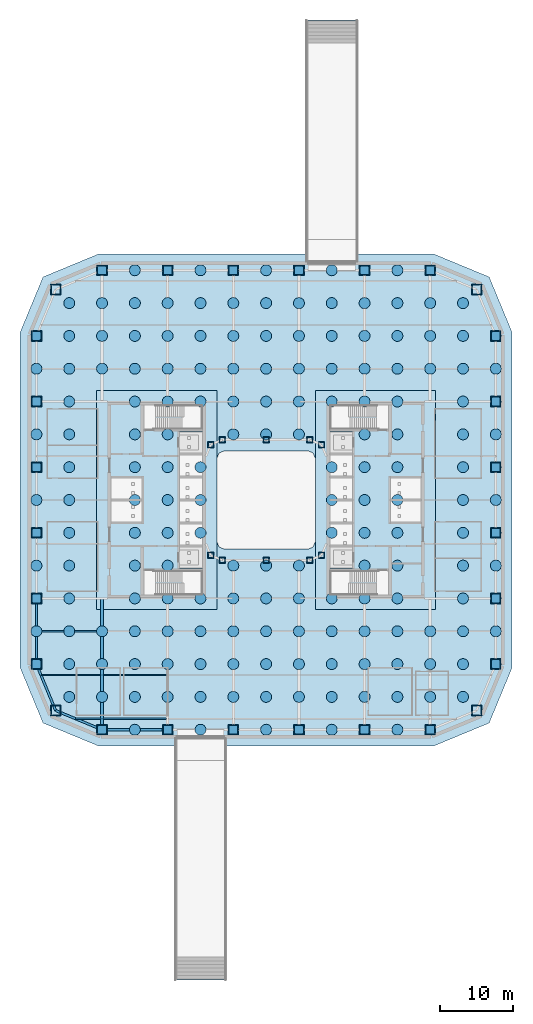
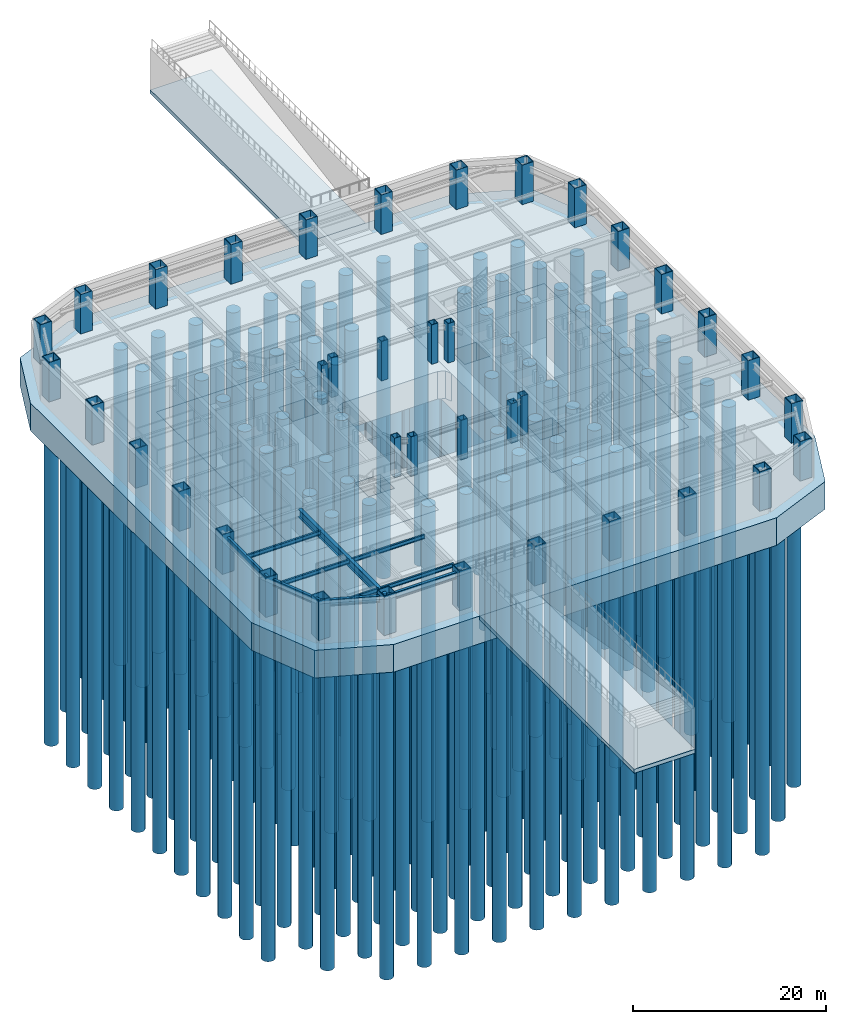
# One storey, part 1 of 10: 186 piles, 38 columns, 10 beams, 5 footings.
"""IFC4 building model written with IfcOpenShell, lengths in metres."""

import ifcopenshell
import ifcopenshell.guid

model = None  # the IFC model being written
_history = None  # IfcOwnerHistory: only IFC2X3 demands one
_inside = {}  # id of a spatial element -> (the spatial element, [elements in it])
_under = {}  # id of a project, library or spatial element -> (it, [spatial elements below it])
_declared = {}  # id of a project -> (the project, [libraries it declares])
_typed = {}  # id of a type object -> (the type object, [elements of that type])
_made_of = {}  # id of a material, layer set ... -> (it, [elements and type objects made of it])


def new_model(schema):
    """Start an empty IFC model of exactly this schema.

    Asked for "IFC4X3", IfcOpenShell would pick the latest addendum, in which some entities
    have other attributes; the version numbers below select the first issue.
    IFC2X3 requires an IfcOwnerHistory on every rooted entity: one is made here for all.
    """
    global model, _history
    if schema == "IFC4X3":
        model = ifcopenshell.file(schema_version=(4, 3, 0, 0))
    else:
        model = ifcopenshell.file(schema=schema)
    _inside.clear()
    _under.clear()
    _declared.clear()
    _typed.clear()
    _made_of.clear()
    _history = None
    if model.schema == "IFC2X3":
        org = make("IfcOrganization", Name="unknown")
        user = make(
            "IfcPersonAndOrganization",
            ThePerson=make("IfcPerson", FamilyName="unknown"),
            TheOrganization=org,
        )
        app = make(
            "IfcApplication",
            ApplicationDeveloper=org,
            Version="unknown",
            ApplicationFullName="unknown",
            ApplicationIdentifier="unknown",
        )
        _history = make(
            "IfcOwnerHistory",
            OwningUser=user,
            OwningApplication=app,
            ChangeAction="ADDED",
            CreationDate=0,
        )
    return model


def make(cls, **values):
    """One entity of the class cls with the attributes given. An attribute that is None is left unset."""
    return model.create_entity(
        cls, **{name: value for name, value in values.items() if value is not None}
    )


def rooted(cls, **values):
    """An entity with a GlobalId (a new one), such as an element, a storey or a relation."""
    return make(cls, GlobalId=ifcopenshell.guid.new(), OwnerHistory=_history, **values)


def si_unit(unit_type, name, prefix=None):
    """IfcSIUnit, for example si_unit("LENGTHUNIT", "METRE", prefix="MILLI")."""
    return make("IfcSIUnit", UnitType=unit_type, Prefix=prefix, Name=name)


def assignment(units):
    """IfcUnitAssignment: the units of a project."""
    return None if units is None else make("IfcUnitAssignment", Units=units)


def point(xyz):
    """IfcCartesianPoint."""
    return None if xyz is None else make("IfcCartesianPoint", Coordinates=xyz)


def direction(xyz):
    """IfcDirection."""
    return None if xyz is None else make("IfcDirection", DirectionRatios=xyz)


def frame(location, z_axis=None, x_axis=None):
    """IfcAxis2Placement3D, a coordinate frame: its origin and axes. An axis left out is left unset."""
    return make(
        "IfcAxis2Placement3D",
        Location=point(location),
        Axis=direction(z_axis),
        RefDirection=direction(x_axis),
    )


def frame_2d(location, x_axis=None):
    """IfcAxis2Placement2D, a coordinate frame in the plane: its origin and x axis."""
    return make(
        "IfcAxis2Placement2D", Location=point(location), RefDirection=direction(x_axis)
    )


def origin():
    """The frame at (0, 0, 0) with its axes left unset."""
    return frame((0.0, 0.0, 0.0))


def origin_2d():
    """The frame at (0, 0) in the plane with its x axis left unset."""
    return frame_2d((0.0, 0.0))


def place(relative_to, where):
    """IfcLocalPlacement: puts the frame where relative to a parent placement (None: the world)."""
    return make(
        "IfcLocalPlacement", PlacementRelTo=relative_to, RelativePlacement=where
    )


def context(
    kind, dimensions, precision=None, world=None, true_north=None, identifier=None
):
    """IfcGeometricRepresentationContext, for example the 3D "Model" context."""
    return make(
        "IfcGeometricRepresentationContext",
        ContextIdentifier=identifier,
        ContextType=kind,
        CoordinateSpaceDimension=dimensions,
        Precision=precision,
        WorldCoordinateSystem=world,
        TrueNorth=true_north,
    )


def subcontext(parent, identifier, kind, view, scale=None):
    """IfcGeometricRepresentationSubContext, for example "Body" below "Model"."""
    return make(
        "IfcGeometricRepresentationSubContext",
        ContextIdentifier=identifier,
        ContextType=kind,
        ParentContext=parent,
        TargetScale=scale,
        TargetView=view,
    )


def project(units=None, contexts=None):
    """IfcProject with its units and contexts."""
    return rooted(
        "IfcProject",
        Name="project",
        RepresentationContexts=contexts,
        UnitsInContext=assignment(units),
    )


def spatial(cls, under=None, at=None, **own):
    """A site, building, storey or space (cls), placed at a placement, below another one or the project."""
    s = rooted(cls, ObjectPlacement=at, **own)
    if under is not None:
        _under.setdefault(under.id(), (under, []))[1].append(s)
    return s


def polyline(points):
    """IfcPolyline through the points."""
    return make("IfcPolyline", Points=[point(p) for p in points])


def profile(cls, at=None, kind="AREA", **sizes):
    """A parametric profile (cls). Its sizes go by their IFC names, for example OverallWidth=200.0."""
    return make(cls, ProfileType=kind, Position=at, **sizes)


def hollow_rectangle(**sizes):
    """IfcRectangleHollowProfileDef."""
    return profile("IfcRectangleHollowProfileDef", **sizes)


def circle(**sizes):
    """IfcCircleProfileDef."""
    return profile("IfcCircleProfileDef", **sizes)


def i_section(**sizes):
    """IfcIShapeProfileDef."""
    return profile("IfcIShapeProfileDef", **sizes)


def outline(outer, holes=None, kind="AREA"):
    """IfcArbitraryClosedProfileDef: a profile drawn as a closed curve; with holes, ...WithVoids."""
    if holes is None:
        return make("IfcArbitraryClosedProfileDef", ProfileType=kind, OuterCurve=outer)
    return make(
        "IfcArbitraryProfileDefWithVoids",
        ProfileType=kind,
        OuterCurve=outer,
        InnerCurves=holes,
    )


def extrude(swept, where, along, depth):
    """IfcExtrudedAreaSolid: the profile swept, set in the frame where, extruded along a direction by depth."""
    return make(
        "IfcExtrudedAreaSolid",
        SweptArea=swept,
        Position=where,
        ExtrudedDirection=direction(along),
        Depth=depth,
    )


def shape(context_of_items, identifier, shape_type, items):
    """IfcShapeRepresentation: the items that make up one representation, for example the "Body"."""
    return make(
        "IfcShapeRepresentation",
        ContextOfItems=context_of_items,
        RepresentationIdentifier=identifier,
        RepresentationType=shape_type,
        Items=items,
    )


def material(Name=None, Category=None):
    """IfcMaterial."""
    return make("IfcMaterial", Name=Name, Category=Category)


def layer(
    of_material, thickness, ventilated=None, Name=None, Category=None, Priority=None
):
    """IfcMaterialLayer: one layer of a wall or slab, of a material (None: an air gap)."""
    return make(
        "IfcMaterialLayer",
        Material=of_material,
        LayerThickness=thickness,
        IsVentilated=ventilated,
        Name=Name,
        Category=Category,
        Priority=Priority,
    )


def layer_set(layers, Name=None):
    """IfcMaterialLayerSet."""
    return make("IfcMaterialLayerSet", MaterialLayers=layers, LayerSetName=Name)


def material_profile(
    of_material, cross_section, Name=None, Category=None, Priority=None
):
    """IfcMaterialProfile: a cross section and its material."""
    return make(
        "IfcMaterialProfile",
        Name=Name,
        Material=of_material,
        Profile=cross_section,
        Priority=Priority,
        Category=Category,
    )


def profile_set(profiles, Name=None, composite=None):
    """IfcMaterialProfileSet."""
    return make(
        "IfcMaterialProfileSet",
        Name=Name,
        MaterialProfiles=profiles,
        CompositeProfile=composite,
    )


def made_of(thing, what):
    """Note that an element or type object is made of a material, layer set ...; save() writes the relation."""
    if what is not None:
        _made_of.setdefault(what.id(), (what, []))[1].append(thing)
    return thing


def type_object(cls, material=None, **own):
    """A type object (cls), such as IfcWallType, which elements share."""
    return made_of(rooted(cls, **own), material)


def element(
    cls,
    number,
    at=None,
    inside=None,
    cuts=None,
    type_object=None,
    material=None,
    context=None,
    identifier="Body",
    shape_type=None,
    held_by="IfcProductDefinitionShape",
    body=None,
    shapes=None,
    **own,
):
    """One element of the class cls, such as IfcWall. Its Tag is "e" and its number.

    at: its placement. inside: the storey or other place that contains it. cuts: it is an
    opening in that element (IfcRelVoidsElement). A single representation is given by context,
    identifier, shape_type and body (its items); several are given by shapes. held_by: the class
    of the entity that holds the representations. save() writes the other relations.
    """
    e = rooted(cls, Tag="e%d" % number, ObjectPlacement=at, **own)
    if body is not None:
        shapes = [shape(context, identifier, shape_type, body)]
    if shapes is not None:
        e.Representation = make(held_by, Representations=shapes)
    if inside is not None:
        _inside.setdefault(inside.id(), (inside, []))[1].append(e)
    if cuts is not None:
        rooted(
            "IfcRelVoidsElement", RelatingBuildingElement=cuts, RelatedOpeningElement=e
        )
    if type_object is not None:
        _typed.setdefault(type_object.id(), (type_object, []))[1].append(e)
    return made_of(e, material)


def aggregate(whole, parts):
    """IfcRelAggregates: a whole, such as a stair, and the parts it consists of."""
    return rooted("IfcRelAggregates", RelatingObject=whole, RelatedObjects=parts)


def save(model, path):
    """Write the relations noted so far, then the file.

    IfcRelAggregates (storeys below a building ...), IfcRelContainedInSpatialStructure (elements
    in a storey), IfcRelDefinesByType, IfcRelAssociatesMaterial and IfcRelDeclares: one each for
    every whole, place, type object, material and project.
    """
    for whole, parts in _under.values():
        aggregate(whole, parts)
    for where, things in _inside.values():
        rooted(
            "IfcRelContainedInSpatialStructure",
            RelatedElements=things,
            RelatingStructure=where,
        )
    for kind, things in _typed.values():
        rooted("IfcRelDefinesByType", RelatedObjects=things, RelatingType=kind)
    for what, things in _made_of.values():
        rooted("IfcRelAssociatesMaterial", RelatedObjects=things, RelatingMaterial=what)
    for by, libraries in _declared.values():
        rooted("IfcRelDeclares", RelatingContext=by, RelatedDefinitions=libraries)
    model.write(path)


model = new_model("IFC4")

# Units and contexts
model_context = context("Model", 3, precision=1e-05, world=origin(), true_north=direction((0.0, 1.0)))
body_context = subcontext(model_context, "Body", "Model", "MODEL_VIEW")
ifc_project = project(units=[si_unit("LENGTHUNIT", "METRE"), si_unit("AREAUNIT", "SQUARE_METRE"), si_unit("VOLUMEUNIT", "CUBIC_METRE"), si_unit("PLANEANGLEUNIT", "RADIAN"), si_unit("MASSUNIT", "GRAM", prefix="KILO")], contexts=[model_context])

# Site, building, storey
site_placement = place(None, origin())
site = spatial("IfcSite", under=ifc_project, at=site_placement, CompositionType="ELEMENT")
building_placement = place(site_placement, origin())
building = spatial("IfcBuilding", under=site, at=building_placement, Name="Siwar Civic Tower", CompositionType="ELEMENT")
storey_placement = place(building_placement, frame((0.0, 0.0, -5.0)))
storey = spatial("IfcBuildingStorey", under=building, at=storey_placement, Name="B1", CompositionType="ELEMENT", Elevation=-5.0)

# Footings
ifc_material_1 = material(Name="Concrete C50/60", Category="concrete")
ifc_layer_1 = layer(ifc_material_1, 0.5)
ifc_layer_set_1 = layer_set([ifc_layer_1], Name="Concrete C50/60")
footing_type_1 = type_object("IfcFootingType", Name="GND-RAMPFOOTING", PredefinedType="STRIP_FOOTING", material=ifc_layer_set_1)
footing_1_placement = place(storey_placement, frame((0.0, 0.0, -0.75)))
element("IfcFooting", 1, at=footing_1_placement, inside=storey, type_object=footing_type_1, Name="Ramp strip raft R1", PredefinedType="STRIP_FOOTING", context=body_context, shape_type="SweptSolid", body=[
    extrude(outline(polyline([(-12.64990234375, -65.800048828125), (-5.35009765625, -65.800048828125), (-5.35009765625, -33.75), (-12.64990234375, -33.75), (-12.64990234375, -65.800048828125)])), origin(), (0.0, 0.0, 1.0), 0.5),
])
footing_2_placement = place(storey_placement, frame((0.0, 0.0, -0.75)))
element("IfcFooting", 2, at=footing_2_placement, inside=storey, type_object=footing_type_1, Name="Ramp strip raft R2", PredefinedType="STRIP_FOOTING", context=body_context, shape_type="SweptSolid", body=[
    extrude(outline(polyline([(5.35009765625, 33.75), (12.64990234375, 33.75), (12.64990234375, 65.800048828125), (5.35009765625, 65.800048828125), (5.35009765625, 33.75)])), origin(), (0.0, 0.0, 1.0), 0.5),
])

# Piles
ifc_material_2 = material(Name="Concrete C50/60", Category="concrete")
ifc_material_profile_1 = material_profile(ifc_material_2, circle(Radius=0.75, at=origin_2d()), Name="PILE1500")
ifc_profile_set_1 = profile_set([ifc_material_profile_1], Name="Concrete C50/60")
pile_type = type_object("IfcPileType", Name="STR-PILE", PredefinedType="BORED", material=ifc_profile_set_1)
for number, where, z_axis, x_axis, name in (
    (3, (-31.5, -22.5, -3.75), (0.0, 0.0, -1.0), (1.0, 0.0, 0.0), "B1/pile/001"),
    (4, (-31.5, -18.0, -3.75), (0.0, 0.0, -1.0), (1.0, 0.0, 0.0), "B1/pile/002"),
    (5, (-31.5, -13.5, -3.75), (0.0, 0.0, -1.0), (1.0, 0.0, 0.0), "B1/pile/003"),
    (6, (-31.5, -9.0, -3.75), (0.0, 0.0, -1.0), (1.0, 0.0, 0.0), "B1/pile/004"),
    (7, (-31.5, -4.5, -3.75), (0.0, 0.0, -1.0), (1.0, 0.0, 0.0), "B1/pile/005"),
    (8, (-31.5, 0.0, -3.75), (0.0, 0.0, -1.0), (1.0, 0.0, 0.0), "B1/pile/006"),
    (9, (-31.5, 4.5, -3.75), (0.0, 0.0, -1.0), (1.0, 0.0, 0.0), "B1/pile/007"),
    (10, (-31.5, 9.0, -3.75), (0.0, 0.0, -1.0), (1.0, 0.0, 0.0), "B1/pile/008"),
    (11, (-31.5, 13.5, -3.75), (0.0, 0.0, -1.0), (1.0, 0.0, 0.0), "B1/pile/009"),
    (12, (-31.5, 18.0, -3.75), (0.0, 0.0, -1.0), (1.0, 0.0, 0.0), "B1/pile/010"),
    (13, (-31.5, 22.5, -3.75), (0.0, 0.0, -1.0), (1.0, 0.0, 0.0), "B1/pile/011"),
    (14, (-27.0, -27.0, -3.75), (0.0, 0.0, -1.0), (1.0, 0.0, 0.0), "B1/pile/012"),
    (15, (-27.0, -22.5, -3.75), (0.0, 0.0, -1.0), (1.0, 0.0, 0.0), "B1/pile/013"),
    (16, (-27.0, -18.0, -3.75), (0.0, 0.0, -1.0), (1.0, 0.0, 0.0), "B1/pile/014"),
    (17, (-27.0, -13.5, -3.75), (0.0, 0.0, -1.0), (1.0, 0.0, 0.0), "B1/pile/015"),
    (18, (-27.0, -9.0, -3.75), (0.0, 0.0, -1.0), (1.0, 0.0, 0.0), "B1/pile/016"),
    (19, (-27.0, -4.5, -3.75), (0.0, 0.0, -1.0), (1.0, 0.0, 0.0), "B1/pile/017"),
    (20, (-27.0, 0.0, -3.75), (0.0, 0.0, -1.0), (1.0, 0.0, 0.0), "B1/pile/018"),
    (21, (-27.0, 4.5, -3.75), (0.0, 0.0, -1.0), (1.0, 0.0, 0.0), "B1/pile/019"),
    (22, (-27.0, 9.0, -3.75), (0.0, 0.0, -1.0), (1.0, 0.0, 0.0), "B1/pile/020"),
    (23, (-27.0, 13.5, -3.75), (0.0, 0.0, -1.0), (1.0, 0.0, 0.0), "B1/pile/021"),
    (24, (-27.0, 18.0, -3.75), (0.0, 0.0, -1.0), (1.0, 0.0, 0.0), "B1/pile/022"),
    (25, (-27.0, 22.5, -3.75), (0.0, 0.0, -1.0), (1.0, 0.0, 0.0), "B1/pile/023"),
    (26, (-27.0, 27.0, -3.75), (0.0, 0.0, -1.0), (1.0, 0.0, 0.0), "B1/pile/024"),
    (27, (-22.5, -31.5, -3.75), (0.0, 0.0, -1.0), (1.0, 0.0, 0.0), "B1/pile/025"),
    (28, (-22.5, -27.0, -3.75), (0.0, 0.0, -1.0), (1.0, 0.0, 0.0), "B1/pile/026"),
    (29, (-22.5, -22.5, -3.75), (0.0, 0.0, -1.0), (1.0, 0.0, 0.0), "B1/pile/027"),
    (30, (-22.5, -18.0, -3.75), (0.0, 0.0, -1.0), (1.0, 0.0, 0.0), "B1/pile/028"),
    (31, (-22.5, 18.0, -3.75), (0.0, 0.0, -1.0), (1.0, 0.0, 0.0), "B1/pile/029"),
    (32, (-22.5, 22.5, -3.75), (0.0, 0.0, -1.0), (1.0, 0.0, 0.0), "B1/pile/030"),
    (33, (-22.5, 27.0, -3.75), (0.0, 0.0, -1.0), (1.0, 0.0, 0.0), "B1/pile/031"),
    (34, (-22.5, 31.5, -3.75), (0.0, 0.0, -1.0), (1.0, 0.0, 0.0), "B1/pile/032"),
    (35, (-18.0, -31.5, -3.75), (0.0, 0.0, -1.0), (1.0, 0.0, 0.0), "B1/pile/033"),
    (36, (-18.0, -27.0, -3.75), (0.0, 0.0, -1.0), (1.0, 0.0, 0.0), "B1/pile/034"),
    (37, (-18.0, -22.5, -3.75), (0.0, 0.0, -1.0), (1.0, 0.0, 0.0), "B1/pile/035"),
    (38, (-18.0, -18.0, -3.75), (0.0, 0.0, -1.0), (1.0, 0.0, 0.0), "B1/pile/036"),
    (39, (-18.0, 18.0, -3.75), (0.0, 0.0, -1.0), (1.0, 0.0, 0.0), "B1/pile/037"),
    (40, (-18.0, 22.5, -3.75), (0.0, 0.0, -1.0), (1.0, 0.0, 0.0), "B1/pile/038"),
    (41, (-18.0, 27.0, -3.75), (0.0, 0.0, -1.0), (1.0, 0.0, 0.0), "B1/pile/039"),
    (42, (-18.0, 31.5, -3.75), (0.0, 0.0, -1.0), (1.0, 0.0, 0.0), "B1/pile/040"),
    (43, (-13.5, -31.5, -3.75), (0.0, 0.0, -1.0), (1.0, 0.0, 0.0), "B1/pile/041"),
    (44, (-13.5, -27.0, -3.75), (0.0, 0.0, -1.0), (1.0, 0.0, 0.0), "B1/pile/042"),
    (45, (-13.5, -22.5, -3.75), (0.0, 0.0, -1.0), (1.0, 0.0, 0.0), "B1/pile/043"),
    (46, (-13.5, -18.0, -3.75), (0.0, 0.0, -1.0), (1.0, 0.0, 0.0), "B1/pile/044"),
    (47, (-13.5, 18.0, -3.75), (0.0, 0.0, -1.0), (1.0, 0.0, 0.0), "B1/pile/045"),
    (48, (-13.5, 22.5, -3.75), (0.0, 0.0, -1.0), (1.0, 0.0, 0.0), "B1/pile/046"),
    (49, (-13.5, 27.0, -3.75), (0.0, 0.0, -1.0), (1.0, 0.0, 0.0), "B1/pile/047"),
    (50, (-13.5, 31.5, -3.75), (0.0, 0.0, -1.0), (1.0, 0.0, 0.0), "B1/pile/048"),
    (51, (-9.0, -31.5, -3.75), (0.0, 0.0, -1.0), (1.0, 0.0, 0.0), "B1/pile/049"),
    (52, (-9.0, -27.0, -3.75), (0.0, 0.0, -1.0), (1.0, 0.0, 0.0), "B1/pile/050"),
    (53, (-9.0, -22.5, -3.75), (0.0, 0.0, -1.0), (1.0, 0.0, 0.0), "B1/pile/051"),
    (54, (-9.0, -18.0, -3.75), (0.0, 0.0, -1.0), (1.0, 0.0, 0.0), "B1/pile/052"),
    (55, (-9.0, 18.0, -3.75), (0.0, 0.0, -1.0), (1.0, 0.0, 0.0), "B1/pile/053"),
    (56, (-9.0, 22.5, -3.75), (0.0, 0.0, -1.0), (1.0, 0.0, 0.0), "B1/pile/054"),
    (57, (-9.0, 27.0, -3.75), (0.0, 0.0, -1.0), (1.0, 0.0, 0.0), "B1/pile/055"),
    (58, (-9.0, 31.5, -3.75), (0.0, 0.0, -1.0), (1.0, 0.0, 0.0), "B1/pile/056"),
    (59, (-4.5, -31.5, -3.75), (0.0, 0.0, -1.0), (1.0, 0.0, 0.0), "B1/pile/057"),
    (60, (-4.5, -27.0, -3.75), (0.0, 0.0, -1.0), (1.0, 0.0, 0.0), "B1/pile/058"),
    (61, (-4.5, -22.5, -3.75), (0.0, 0.0, -1.0), (1.0, 0.0, 0.0), "B1/pile/059"),
    (62, (-4.5, -18.0, -3.75), (0.0, 0.0, -1.0), (1.0, 0.0, 0.0), "B1/pile/060"),
    (63, (-4.5, -13.5, -3.75), (0.0, 0.0, -1.0), (1.0, 0.0, 0.0), "B1/pile/061"),
    (64, (-4.5, -9.0, -3.75), (0.0, 0.0, -1.0), (1.0, 0.0, 0.0), "B1/pile/062"),
    (65, (-4.5, 9.0, -3.75), (0.0, 0.0, -1.0), (1.0, 0.0, 0.0), "B1/pile/063"),
    (66, (-4.5, 13.5, -3.75), (0.0, 0.0, -1.0), (1.0, 0.0, 0.0), "B1/pile/064"),
    (67, (-4.5, 18.0, -3.75), (0.0, 0.0, -1.0), (1.0, 0.0, 0.0), "B1/pile/065"),
    (68, (-4.5, 22.5, -3.75), (0.0, 0.0, -1.0), (1.0, 0.0, 0.0), "B1/pile/066"),
    (69, (-4.5, 27.0, -3.75), (0.0, 0.0, -1.0), (1.0, 0.0, 0.0), "B1/pile/067"),
    (70, (-4.5, 31.5, -3.75), (0.0, 0.0, -1.0), (1.0, 0.0, 0.0), "B1/pile/068"),
    (71, (0.0, -31.5, -3.75), (0.0, 0.0, -1.0), (1.0, 0.0, 0.0), "B1/pile/069"),
    (72, (0.0, -27.0, -3.75), (0.0, 0.0, -1.0), (1.0, 0.0, 0.0), "B1/pile/070"),
    (73, (0.0, -22.5, -3.75), (0.0, 0.0, -1.0), (1.0, 0.0, 0.0), "B1/pile/071"),
    (74, (0.0, -18.0, -3.75), (0.0, 0.0, -1.0), (1.0, 0.0, 0.0), "B1/pile/072"),
    (75, (0.0, -13.5, -3.75), (0.0, 0.0, -1.0), (1.0, 0.0, 0.0), "B1/pile/073"),
    (76, (0.0, -9.0, -3.75), (0.0, 0.0, -1.0), (1.0, 0.0, 0.0), "B1/pile/074"),
    (77, (0.0, 9.0, -3.75), (0.0, 0.0, -1.0), (1.0, 0.0, 0.0), "B1/pile/075"),
    (78, (0.0, 13.5, -3.75), (0.0, 0.0, -1.0), (1.0, 0.0, 0.0), "B1/pile/076"),
    (79, (0.0, 18.0, -3.75), (0.0, 0.0, -1.0), (1.0, 0.0, 0.0), "B1/pile/077"),
    (80, (0.0, 22.5, -3.75), (0.0, 0.0, -1.0), (1.0, 0.0, 0.0), "B1/pile/078"),
    (81, (0.0, 27.0, -3.75), (0.0, 0.0, -1.0), (1.0, 0.0, 0.0), "B1/pile/079"),
    (82, (0.0, 31.5, -3.75), (0.0, 0.0, -1.0), (1.0, 0.0, 0.0), "B1/pile/080"),
    (83, (4.5, -31.5, -3.75), (0.0, 0.0, -1.0), (1.0, 0.0, 0.0), "B1/pile/081"),
    (84, (4.5, -27.0, -3.75), (0.0, 0.0, -1.0), (1.0, 0.0, 0.0), "B1/pile/082"),
    (85, (4.5, -22.5, -3.75), (0.0, 0.0, -1.0), (1.0, 0.0, 0.0), "B1/pile/083"),
    (86, (4.5, -18.0, -3.75), (0.0, 0.0, -1.0), (1.0, 0.0, 0.0), "B1/pile/084"),
    (87, (4.5, -13.5, -3.75), (0.0, 0.0, -1.0), (1.0, 0.0, 0.0), "B1/pile/085"),
    (88, (4.5, -9.0, -3.75), (0.0, 0.0, -1.0), (1.0, 0.0, 0.0), "B1/pile/086"),
    (89, (4.5, 9.0, -3.75), (0.0, 0.0, -1.0), (1.0, 0.0, 0.0), "B1/pile/087"),
    (90, (4.5, 13.5, -3.75), (0.0, 0.0, -1.0), (1.0, 0.0, 0.0), "B1/pile/088"),
    (91, (4.5, 18.0, -3.75), (0.0, 0.0, -1.0), (1.0, 0.0, 0.0), "B1/pile/089"),
    (92, (4.5, 22.5, -3.75), (0.0, 0.0, -1.0), (1.0, 0.0, 0.0), "B1/pile/090"),
    (93, (4.5, 27.0, -3.75), (0.0, 0.0, -1.0), (1.0, 0.0, 0.0), "B1/pile/091"),
    (94, (4.5, 31.5, -3.75), (0.0, 0.0, -1.0), (1.0, 0.0, 0.0), "B1/pile/092"),
    (95, (9.0, -31.5, -3.75), (0.0, 0.0, -1.0), (1.0, 0.0, 0.0), "B1/pile/093"),
    (96, (9.0, -27.0, -3.75), (0.0, 0.0, -1.0), (1.0, 0.0, 0.0), "B1/pile/094"),
    (97, (9.0, -22.5, -3.75), (0.0, 0.0, -1.0), (1.0, 0.0, 0.0), "B1/pile/095"),
    (98, (9.0, -18.0, -3.75), (0.0, 0.0, -1.0), (1.0, 0.0, 0.0), "B1/pile/096"),
    (99, (9.0, 18.0, -3.75), (0.0, 0.0, -1.0), (1.0, 0.0, 0.0), "B1/pile/097"),
    (100, (9.0, 22.5, -3.75), (0.0, 0.0, -1.0), (1.0, 0.0, 0.0), "B1/pile/098"),
    (101, (9.0, 27.0, -3.75), (0.0, 0.0, -1.0), (1.0, 0.0, 0.0), "B1/pile/099"),
    (102, (9.0, 31.5, -3.75), (0.0, 0.0, -1.0), (1.0, 0.0, 0.0), "B1/pile/100"),
    (103, (13.5, -31.5, -3.75), (0.0, 0.0, -1.0), (1.0, 0.0, 0.0), "B1/pile/101"),
    (104, (13.5, -27.0, -3.75), (0.0, 0.0, -1.0), (1.0, 0.0, 0.0), "B1/pile/102"),
    (105, (13.5, -22.5, -3.75), (0.0, 0.0, -1.0), (1.0, 0.0, 0.0), "B1/pile/103"),
    (106, (13.5, -18.0, -3.75), (0.0, 0.0, -1.0), (1.0, 0.0, 0.0), "B1/pile/104"),
    (107, (13.5, 18.0, -3.75), (0.0, 0.0, -1.0), (1.0, 0.0, 0.0), "B1/pile/105"),
    (108, (13.5, 22.5, -3.75), (0.0, 0.0, -1.0), (1.0, 0.0, 0.0), "B1/pile/106"),
    (109, (13.5, 27.0, -3.75), (0.0, 0.0, -1.0), (1.0, 0.0, 0.0), "B1/pile/107"),
    (110, (13.5, 31.5, -3.75), (0.0, 0.0, -1.0), (1.0, 0.0, 0.0), "B1/pile/108"),
    (111, (18.0, -31.5, -3.75), (0.0, 0.0, -1.0), (1.0, 0.0, 0.0), "B1/pile/109"),
    (112, (18.0, -27.0, -3.75), (0.0, 0.0, -1.0), (1.0, 0.0, 0.0), "B1/pile/110"),
    (113, (18.0, -22.5, -3.75), (0.0, 0.0, -1.0), (1.0, 0.0, 0.0), "B1/pile/111"),
    (114, (18.0, -18.0, -3.75), (0.0, 0.0, -1.0), (1.0, 0.0, 0.0), "B1/pile/112"),
    (115, (18.0, 18.0, -3.75), (0.0, 0.0, -1.0), (1.0, 0.0, 0.0), "B1/pile/113"),
    (116, (18.0, 22.5, -3.75), (0.0, 0.0, -1.0), (1.0, 0.0, 0.0), "B1/pile/114"),
    (117, (18.0, 27.0, -3.75), (0.0, 0.0, -1.0), (1.0, 0.0, 0.0), "B1/pile/115"),
    (118, (18.0, 31.5, -3.75), (0.0, 0.0, -1.0), (1.0, 0.0, 0.0), "B1/pile/116"),
    (119, (22.5, -31.5, -3.75), (0.0, 0.0, -1.0), (1.0, 0.0, 0.0), "B1/pile/117"),
    (120, (22.5, -27.0, -3.75), (0.0, 0.0, -1.0), (1.0, 0.0, 0.0), "B1/pile/118"),
    (121, (22.5, -22.5, -3.75), (0.0, 0.0, -1.0), (1.0, 0.0, 0.0), "B1/pile/119"),
    (122, (22.5, -18.0, -3.75), (0.0, 0.0, -1.0), (1.0, 0.0, 0.0), "B1/pile/120"),
    (123, (22.5, 18.0, -3.75), (0.0, 0.0, -1.0), (1.0, 0.0, 0.0), "B1/pile/121"),
    (124, (22.5, 22.5, -3.75), (0.0, 0.0, -1.0), (1.0, 0.0, 0.0), "B1/pile/122"),
    (125, (22.5, 27.0, -3.75), (0.0, 0.0, -1.0), (1.0, 0.0, 0.0), "B1/pile/123"),
    (126, (22.5, 31.5, -3.75), (0.0, 0.0, -1.0), (1.0, 0.0, 0.0), "B1/pile/124"),
    (127, (27.0, -27.0, -3.75), (0.0, 0.0, -1.0), (1.0, 0.0, 0.0), "B1/pile/125"),
    (128, (27.0, -22.5, -3.75), (0.0, 0.0, -1.0), (1.0, 0.0, 0.0), "B1/pile/126"),
    (129, (27.0, -18.0, -3.75), (0.0, 0.0, -1.0), (1.0, 0.0, 0.0), "B1/pile/127"),
    (130, (27.0, -13.5, -3.75), (0.0, 0.0, -1.0), (1.0, 0.0, 0.0), "B1/pile/128"),
    (131, (27.0, -9.0, -3.75), (0.0, 0.0, -1.0), (1.0, 0.0, 0.0), "B1/pile/129"),
    (132, (27.0, -4.5, -3.75), (0.0, 0.0, -1.0), (1.0, 0.0, 0.0), "B1/pile/130"),
    (133, (27.0, 0.0, -3.75), (0.0, 0.0, -1.0), (1.0, 0.0, 0.0), "B1/pile/131"),
    (134, (27.0, 4.5, -3.75), (0.0, 0.0, -1.0), (1.0, 0.0, 0.0), "B1/pile/132"),
    (135, (27.0, 9.0, -3.75), (0.0, 0.0, -1.0), (1.0, 0.0, 0.0), "B1/pile/133"),
    (136, (27.0, 13.5, -3.75), (0.0, 0.0, -1.0), (1.0, 0.0, 0.0), "B1/pile/134"),
    (137, (27.0, 18.0, -3.75), (0.0, 0.0, -1.0), (1.0, 0.0, 0.0), "B1/pile/135"),
    (138, (27.0, 22.5, -3.75), (0.0, 0.0, -1.0), (1.0, 0.0, 0.0), "B1/pile/136"),
    (139, (27.0, 27.0, -3.75), (0.0, 0.0, -1.0), (1.0, 0.0, 0.0), "B1/pile/137"),
    (140, (31.5, -22.5, -3.75), (0.0, 0.0, -1.0), (1.0, 0.0, 0.0), "B1/pile/138"),
    (141, (31.5, -18.0, -3.75), (0.0, 0.0, -1.0), (1.0, 0.0, 0.0), "B1/pile/139"),
    (142, (31.5, -13.5, -3.75), (0.0, 0.0, -1.0), (1.0, 0.0, 0.0), "B1/pile/140"),
    (143, (31.5, -9.0, -3.75), (0.0, 0.0, -1.0), (1.0, 0.0, 0.0), "B1/pile/141"),
    (144, (31.5, -4.5, -3.75), (0.0, 0.0, -1.0), (1.0, 0.0, 0.0), "B1/pile/142"),
    (145, (31.5, 0.0, -3.75), (0.0, 0.0, -1.0), (1.0, 0.0, 0.0), "B1/pile/143"),
    (146, (31.5, 4.5, -3.75), (0.0, 0.0, -1.0), (1.0, 0.0, 0.0), "B1/pile/144"),
    (147, (31.5, 9.0, -3.75), (0.0, 0.0, -1.0), (1.0, 0.0, 0.0), "B1/pile/145"),
    (148, (31.5, 13.5, -3.75), (0.0, 0.0, -1.0), (1.0, 0.0, 0.0), "B1/pile/146"),
    (149, (31.5, 18.0, -3.75), (0.0, 0.0, -1.0), (1.0, 0.0, 0.0), "B1/pile/147"),
    (150, (31.5, 22.5, -3.75), (0.0, 0.0, -1.0), (1.0, 0.0, 0.0), "B1/pile/148"),
    (151, (9.0, -13.5, -4.75), (0.0, 0.0, -1.0), (1.0, 0.0, 0.0), "B1/pile/149"),
    (152, (9.0, -4.5, -4.75), (0.0, 0.0, -1.0), (1.0, 0.0, 0.0), "B1/pile/150"),
    (153, (9.0, 0.0, -4.75), (0.0, 0.0, -1.0), (1.0, 0.0, 0.0), "B1/pile/151"),
    (154, (9.0, 4.5, -4.75), (0.0, 0.0, -1.0), (1.0, 0.0, 0.0), "B1/pile/152"),
    (155, (9.0, 13.5, -4.75), (0.0, 0.0, -1.0), (1.0, 0.0, 0.0), "B1/pile/153"),
    (156, (13.5, -13.5, -4.75), (0.0, 0.0, -1.0), (1.0, 0.0, 0.0), "B1/pile/154"),
    (157, (13.5, -9.0, -4.75), (0.0, 0.0, -1.0), (1.0, 0.0, 0.0), "B1/pile/155"),
    (158, (13.5, -4.5, -4.75), (0.0, 0.0, -1.0), (1.0, 0.0, 0.0), "B1/pile/156"),
    (159, (13.5, 0.0, -4.75), (0.0, 0.0, -1.0), (1.0, 0.0, 0.0), "B1/pile/157"),
    (160, (13.5, 4.5, -4.75), (0.0, 0.0, -1.0), (1.0, 0.0, 0.0), "B1/pile/158"),
    (161, (13.5, 9.0, -4.75), (0.0, 0.0, -1.0), (1.0, 0.0, 0.0), "B1/pile/159"),
    (162, (13.5, 13.5, -4.75), (0.0, 0.0, -1.0), (1.0, 0.0, 0.0), "B1/pile/160"),
    (163, (18.0, -13.5, -4.75), (0.0, 0.0, -1.0), (1.0, 0.0, 0.0), "B1/pile/161"),
    (164, (18.0, -9.0, -4.75), (0.0, 0.0, -1.0), (1.0, 0.0, 0.0), "B1/pile/162"),
    (165, (18.0, -4.5, -4.75), (0.0, 0.0, -1.0), (1.0, 0.0, 0.0), "B1/pile/163"),
    (166, (18.0, 0.0, -4.75), (0.0, 0.0, -1.0), (1.0, 0.0, 0.0), "B1/pile/164"),
    (167, (18.0, 4.5, -4.75), (0.0, 0.0, -1.0), (1.0, 0.0, 0.0), "B1/pile/165"),
    (168, (18.0, 9.0, -4.75), (0.0, 0.0, -1.0), (1.0, 0.0, 0.0), "B1/pile/166"),
    (169, (18.0, 13.5, -4.75), (0.0, 0.0, -1.0), (1.0, 0.0, 0.0), "B1/pile/167"),
    (170, (-18.0, -13.5, -4.75), (0.0, 0.0, -1.0), (1.0, 0.0, 0.0), "B1/pile/168"),
    (171, (-18.0, -9.0, -4.75), (0.0, 0.0, -1.0), (1.0, 0.0, 0.0), "B1/pile/169"),
    (172, (-18.0, -4.5, -4.75), (0.0, 0.0, -1.0), (1.0, 0.0, 0.0), "B1/pile/170"),
    (173, (-18.0, 0.0, -4.75), (0.0, 0.0, -1.0), (1.0, 0.0, 0.0), "B1/pile/171"),
    (174, (-18.0, 4.5, -4.75), (0.0, 0.0, -1.0), (1.0, 0.0, 0.0), "B1/pile/172"),
    (175, (-18.0, 9.0, -4.75), (0.0, 0.0, -1.0), (1.0, 0.0, 0.0), "B1/pile/173"),
    (176, (-18.0, 13.5, -4.75), (0.0, 0.0, -1.0), (1.0, 0.0, 0.0), "B1/pile/174"),
    (177, (-13.5, -13.5, -4.75), (0.0, 0.0, -1.0), (1.0, 0.0, 0.0), "B1/pile/175"),
    (178, (-13.5, -9.0, -4.75), (0.0, 0.0, -1.0), (1.0, 0.0, 0.0), "B1/pile/176"),
    (179, (-13.5, -4.5, -4.75), (0.0, 0.0, -1.0), (1.0, 0.0, 0.0), "B1/pile/177"),
    (180, (-13.5, 0.0, -4.75), (0.0, 0.0, -1.0), (1.0, 0.0, 0.0), "B1/pile/178"),
    (181, (-13.5, 4.5, -4.75), (0.0, 0.0, -1.0), (1.0, 0.0, 0.0), "B1/pile/179"),
    (182, (-13.5, 9.0, -4.75), (0.0, 0.0, -1.0), (1.0, 0.0, 0.0), "B1/pile/180"),
    (183, (-13.5, 13.5, -4.75), (0.0, 0.0, -1.0), (1.0, 0.0, 0.0), "B1/pile/181"),
    (184, (-9.0, -13.5, -4.75), (0.0, 0.0, -1.0), (1.0, 0.0, 0.0), "B1/pile/182"),
    (185, (-9.0, -4.5, -4.75), (0.0, 0.0, -1.0), (1.0, 0.0, 0.0), "B1/pile/183"),
    (186, (-9.0, 0.0, -4.75), (0.0, 0.0, -1.0), (1.0, 0.0, 0.0), "B1/pile/184"),
    (187, (-9.0, 4.5, -4.75), (0.0, 0.0, -1.0), (1.0, 0.0, 0.0), "B1/pile/185"),
    (188, (-9.0, 13.5, -4.75), (0.0, 0.0, -1.0), (1.0, 0.0, 0.0), "B1/pile/186"),
):
    element("IfcPile", number, at=place(storey_placement, frame(where, z_axis=z_axis, x_axis=x_axis)), inside=storey, type_object=pile_type, Name=name, PredefinedType="BORED", context=body_context, shape_type="SweptSolid", body=[
        extrude(circle(Radius=0.75, at=origin_2d()), origin(), (0.0, 0.0, 1.0), 40.0),
    ])

# Footings
ifc_material_3 = material(Name="Concrete C50/60", Category="concrete")
ifc_layer_2 = layer(ifc_material_3, 4.5)
ifc_layer_set_2 = layer_set([ifc_layer_2], Name="Concrete C50/60")
footing_type_2 = type_object("IfcFootingType", Name="STR-RAFT-CORE", PredefinedType="USERDEFINED", material=ifc_layer_set_2)
footing_3_placement = place(storey_placement, frame((0.0, 0.0, -4.75)))
element("IfcFooting", 189, at=footing_3_placement, inside=storey, type_object=footing_type_2, Name="B1/raft/W", ObjectType="CORE RAFT", PredefinedType="USERDEFINED", context=body_context, shape_type="SweptSolid", body=[
    extrude(outline(polyline([(-6.75, -15.0), (-6.75, 15.0), (-23.25, 15.0), (-23.25, -15.0), (-6.75, -15.0)]), holes=[polyline([(-11.85009765625, -9.324951171875), (-11.85009765625, -6.425048828125), (-8.75, -6.425048828125), (-8.75, -9.324951171875), (-11.85009765625, -9.324951171875)]), polyline([(-11.85009765625, 6.425048828125), (-11.85009765625, 9.324951171875), (-8.75, 9.324951171875), (-8.75, 6.425048828125), (-11.85009765625, 6.425048828125)])]), origin(), (0.0, 0.0, 1.0), 4.5),
])
footing_4_placement = place(storey_placement, frame((0.0, 0.0, -4.75)))
element("IfcFooting", 190, at=footing_4_placement, inside=storey, type_object=footing_type_2, Name="B1/raft/E", ObjectType="CORE RAFT", PredefinedType="USERDEFINED", context=body_context, shape_type="SweptSolid", body=[
    extrude(outline(polyline([(23.25, -15.0), (23.25, 15.0), (6.75, 15.0), (6.75, -15.0), (23.25, -15.0)]), holes=[polyline([(11.85009765625, -6.425048828125), (11.85009765625, -9.324951171875), (8.75, -9.324951171875), (8.75, -6.425048828125), (11.85009765625, -6.425048828125)]), polyline([(11.85009765625, 9.324951171875), (11.85009765625, 6.425048828125), (8.75, 6.425048828125), (8.75, 9.324951171875), (11.85009765625, 9.324951171875)])]), origin(), (0.0, 0.0, 1.0), 4.5),
])
ifc_material_4 = material(Name="Concrete C50/60", Category="concrete")
ifc_layer_3 = layer(ifc_material_4, 3.5)
ifc_layer_set_3 = layer_set([ifc_layer_3], Name="Concrete C50/60")
footing_type_3 = type_object("IfcFootingType", Name="STR-RAFT-RING", PredefinedType="USERDEFINED", material=ifc_layer_set_3)
footing_5_placement = place(storey_placement, frame((0.0, 0.0, -3.75)))
element("IfcFooting", 191, at=footing_5_placement, inside=storey, type_object=footing_type_3, Name="B1/raft/1", ObjectType="RAFT", PredefinedType="USERDEFINED", context=body_context, shape_type="SweptSolid", body=[
    extrude(outline(polyline([(-33.75, -22.947509765625), (-30.5859375, -30.5859375), (-22.947509765625, -33.75), (22.947509765625, -33.75), (30.5859375, -30.5859375), (33.75, -22.947509765625), (33.75, 22.947509765625), (30.5859375, 30.5859375), (22.947509765625, 33.75), (-22.947509765625, 33.75), (-30.5859375, 30.5859375), (-33.75, 22.947509765625), (-33.75, -22.947509765625)]), holes=[polyline([(6.44287109375, -6.44287109375), (5.70166015625, -6.75), (-5.70166015625, -6.75), (-6.44287109375, -6.44287109375), (-6.75, -5.70166015625), (-6.75, -15.0), (-23.25, -15.0), (-23.25, 15.0), (-6.75, 15.0), (-6.75, 5.70166015625), (-6.44287109375, 6.44287109375), (-5.70166015625, 6.75), (5.70166015625, 6.75), (6.44287109375, 6.44287109375), (6.75, 5.70166015625), (6.75, 15.0), (23.25, 15.0), (23.25, -15.0), (6.75, -15.0), (6.75, -5.70166015625), (6.44287109375, -6.44287109375)])]), origin(), (0.0, 0.0, 1.0), 3.5),
])

# Columns
ifc_material_5 = material(Name="Steel S460", Category="steel")
ifc_material_profile_2 = material_profile(ifc_material_5, hollow_rectangle(XDim=1.39990234375, YDim=1.39990234375, WallThickness=0.070068359375, at=origin_2d()), Name="BOX1400x1400x70")
ifc_profile_set_2 = profile_set([ifc_material_profile_2], Name="Steel S460")
column_type_1 = type_object("IfcColumnType", Name="STR-COL-BOX1400x1400x70", PredefinedType="COLUMN", material=ifc_profile_set_2)
for number, where, z_axis, x_axis, name in (
    (192, (-22.5, -31.5, 0.0), (0.0, 0.0, 1.0), (1.0, 0.0, 0.0), "B1/col/S-0"),
    (193, (-13.5, -31.5, 0.0), (0.0, 0.0, 1.0), (1.0, 0.0, 0.0), "B1/col/S-1"),
    (194, (-4.5, -31.5, 0.0), (0.0, 0.0, 1.0), (1.0, 0.0, 0.0), "B1/col/S-2"),
    (195, (4.5, -31.5, 0.0), (0.0, 0.0, 1.0), (1.0, 0.0, 0.0), "B1/col/S-3"),
    (196, (13.5, -31.5, 0.0), (0.0, 0.0, 1.0), (1.0, 0.0, 0.0), "B1/col/S-4"),
    (197, (22.5, -31.5, 0.0), (0.0, 0.0, 1.0), (1.0, 0.0, 0.0), "B1/col/SE1-0"),
    (198, (28.864013671875, -28.864013671875, 0.0), (0.0, 0.0, 1.0), (1.0, 0.0, 0.0), "B1/col/SE2-0"),
    (199, (31.5, -22.5, 0.0), (0.0, 0.0, 1.0), (1.0, 0.0, 0.0), "B1/col/E-0"),
    (200, (31.5, -13.5, 0.0), (0.0, 0.0, 1.0), (1.0, 0.0, 0.0), "B1/col/E-1"),
    (201, (31.5, -4.5, 0.0), (0.0, 0.0, 1.0), (1.0, 0.0, 0.0), "B1/col/E-2"),
    (202, (31.5, 4.5, 0.0), (0.0, 0.0, 1.0), (1.0, 0.0, 0.0), "B1/col/E-3"),
    (203, (31.5, 13.5, 0.0), (0.0, 0.0, 1.0), (1.0, 0.0, 0.0), "B1/col/E-4"),
    (204, (31.5, 22.5, 0.0), (0.0, 0.0, 1.0), (1.0, 0.0, 0.0), "B1/col/NE1-0"),
    (205, (28.864013671875, 28.864013671875, 0.0), (0.0, 0.0, 1.0), (1.0, 0.0, 0.0), "B1/col/NE2-0"),
    (206, (22.5, 31.5, 0.0), (0.0, 0.0, 1.0), (1.0, 0.0, 0.0), "B1/col/N-0"),
    (207, (13.5, 31.5, 0.0), (0.0, 0.0, 1.0), (1.0, 0.0, 0.0), "B1/col/N-1"),
    (208, (4.5, 31.5, 0.0), (0.0, 0.0, 1.0), (1.0, 0.0, 0.0), "B1/col/N-2"),
    (209, (-4.5, 31.5, 0.0), (0.0, 0.0, 1.0), (1.0, 0.0, 0.0), "B1/col/N-3"),
    (210, (-13.5, 31.5, 0.0), (0.0, 0.0, 1.0), (1.0, 0.0, 0.0), "B1/col/N-4"),
    (211, (-22.5, 31.5, 0.0), (0.0, 0.0, 1.0), (1.0, 0.0, 0.0), "B1/col/NW1-0"),
    (212, (-28.864013671875, 28.864013671875, 0.0), (0.0, 0.0, 1.0), (1.0, 0.0, 0.0), "B1/col/NW2-0"),
    (213, (-31.5, 22.5, 0.0), (0.0, 0.0, 1.0), (1.0, 0.0, 0.0), "B1/col/W-0"),
    (214, (-31.5, 13.5, 0.0), (0.0, 0.0, 1.0), (1.0, 0.0, 0.0), "B1/col/W-1"),
    (215, (-31.5, 4.5, 0.0), (0.0, 0.0, 1.0), (1.0, 0.0, 0.0), "B1/col/W-2"),
    (216, (-31.5, -4.5, 0.0), (0.0, 0.0, 1.0), (1.0, 0.0, 0.0), "B1/col/W-3"),
    (217, (-31.5, -13.5, 0.0), (0.0, 0.0, 1.0), (1.0, 0.0, 0.0), "B1/col/W-4"),
    (218, (-31.5, -22.5, 0.0), (0.0, 0.0, 1.0), (1.0, 0.0, 0.0), "B1/col/SW1-0"),
    (219, (-28.864013671875, -28.864013671875, 0.0), (0.0, 0.0, 1.0), (1.0, 0.0, 0.0), "B1/col/SW2-0"),
):
    element("IfcColumn", number, at=place(storey_placement, frame(where, z_axis=z_axis, x_axis=x_axis)), inside=storey, type_object=column_type_1, Name=name, PredefinedType="COLUMN", context=body_context, shape_type="SweptSolid", body=[
        extrude(hollow_rectangle(XDim=1.39990234375, YDim=1.39990234375, WallThickness=0.070068359375, at=origin_2d()), origin(), (0.0, 0.0, 1.0), 5.0),
    ])
ifc_material_6 = material(Name="Steel S355", Category="steel")
ifc_material_profile_3 = material_profile(ifc_material_6, hollow_rectangle(XDim=0.800048828125, YDim=0.800048828125, WallThickness=0.050048828125, at=origin_2d()), Name="BOX800x800x50")
ifc_profile_set_3 = profile_set([ifc_material_profile_3], Name="Steel S355")
column_type_2 = type_object("IfcColumnType", Name="STR-ICOL-BOX800x800x50", PredefinedType="COLUMN", material=ifc_profile_set_3)
for number, where, z_axis, x_axis, name in (
    (220, (-7.591064453125, -7.591064453125, 0.0), (0.0, 0.0, 1.0), (1.0, 0.0, 0.0), "B1/col/IS-0"),
    (221, (-6.0, -8.25, 0.0), (0.0, 0.0, 1.0), (1.0, 0.0, 0.0), "B1/col/IS-1"),
    (222, (0.0, -8.25, 0.0), (0.0, 0.0, 1.0), (1.0, 0.0, 0.0), "B1/col/IS-2"),
    (223, (6.0, -8.25, 0.0), (0.0, 0.0, 1.0), (1.0, 0.0, 0.0), "B1/col/IS-3"),
    (224, (7.591064453125, -7.591064453125, 0.0), (0.0, 0.0, 1.0), (1.0, 0.0, 0.0), "B1/col/IS-4"),
    (225, (-7.591064453125, 7.591064453125, 0.0), (0.0, 0.0, 1.0), (1.0, 0.0, 0.0), "B1/col/IN-0"),
    (226, (-6.0, 8.25, 0.0), (0.0, 0.0, 1.0), (1.0, 0.0, 0.0), "B1/col/IN-1"),
    (227, (0.0, 8.25, 0.0), (0.0, 0.0, 1.0), (1.0, 0.0, 0.0), "B1/col/IN-2"),
    (228, (6.0, 8.25, 0.0), (0.0, 0.0, 1.0), (1.0, 0.0, 0.0), "B1/col/IN-3"),
    (229, (7.591064453125, 7.591064453125, 0.0), (0.0, 0.0, 1.0), (1.0, 0.0, 0.0), "B1/col/IN-4"),
):
    element("IfcColumn", number, at=place(storey_placement, frame(where, z_axis=z_axis, x_axis=x_axis)), inside=storey, type_object=column_type_2, Name=name, PredefinedType="COLUMN", context=body_context, shape_type="SweptSolid", body=[
        extrude(hollow_rectangle(XDim=0.800048828125, YDim=0.800048828125, WallThickness=0.050048828125, at=origin_2d()), origin(), (0.0, 0.0, 1.0), 5.0),
    ])

# Beams
ifc_material_7 = material(Name="Steel S355", Category="steel")
ifc_material_profile_4 = material_profile(ifc_material_7, i_section(OverallWidth=0.199951171875, OverallDepth=0.5, WebThickness=0.01025390625, FlangeThickness=0.01611328125, FilletRadius=0.02099609375, at=origin_2d()), Name="IPE500")
ifc_profile_set_4 = profile_set([ifc_material_profile_4], Name="Steel S355")
beam_type_1 = type_object("IfcBeamType", Name="STR-FB-IPE500", PredefinedType="JOIST", material=ifc_profile_set_4)
beam_1_placement = place(storey_placement, frame((-26.121337890625, -30.0, 4.300048828125), z_axis=(1.0, 0.0, 0.0), x_axis=(0.0, 1.0, 0.0)))
element("IfcBeam", 230, at=beam_1_placement, inside=storey, type_object=beam_type_1, Name="B1/bm/F001", PredefinedType="JOIST", context=body_context, shape_type="SweptSolid", body=[
    extrude(i_section(OverallWidth=0.199951171875, OverallDepth=0.5, WebThickness=0.01025390625, FlangeThickness=0.01611328125, FilletRadius=0.02099609375, at=origin_2d()), origin(), (0.0, 0.0, 1.0), 3.491455078125),
])
beam_2_placement = place(storey_placement, frame((-22.3701171875, -30.0, 4.300048828125), z_axis=(1.0, 0.0, 0.0), x_axis=(0.0, 1.0, 0.0)))
element("IfcBeam", 231, at=beam_2_placement, inside=storey, type_object=beam_type_1, Name="B1/bm/F002", PredefinedType="JOIST", context=body_context, shape_type="SweptSolid", body=[
    extrude(i_section(OverallWidth=0.199951171875, OverallDepth=0.5, WebThickness=0.01025390625, FlangeThickness=0.01611328125, FilletRadius=0.02099609375, at=origin_2d()), origin(), (0.0, 0.0, 1.0), 8.740234375),
])
beam_3_placement = place(storey_placement, frame((-30.878662109375, -24.0, 4.300048828125), z_axis=(1.0, 0.0, 0.0), x_axis=(0.0, 1.0, 0.0)))
element("IfcBeam", 232, at=beam_3_placement, inside=storey, type_object=beam_type_1, Name="B1/bm/F008", PredefinedType="JOIST", context=body_context, shape_type="SweptSolid", body=[
    extrude(i_section(OverallWidth=0.199951171875, OverallDepth=0.5, WebThickness=0.01025390625, FlangeThickness=0.01611328125, FilletRadius=0.02099609375, at=origin_2d()), origin(), (0.0, 0.0, 1.0), 8.248779296875),
])
beam_4_placement = place(storey_placement, frame((-22.3701171875, -24.0, 4.300048828125), z_axis=(1.0, 0.0, 0.0), x_axis=(0.0, 1.0, 0.0)))
element("IfcBeam", 233, at=beam_4_placement, inside=storey, type_object=beam_type_1, Name="B1/bm/F009", PredefinedType="JOIST", context=body_context, shape_type="SweptSolid", body=[
    extrude(i_section(OverallWidth=0.199951171875, OverallDepth=0.5, WebThickness=0.01025390625, FlangeThickness=0.01611328125, FilletRadius=0.02099609375, at=origin_2d()), origin(), (0.0, 0.0, 1.0), 8.740234375),
])
beam_5_placement = place(storey_placement, frame((-31.5, -18.0, 4.300048828125), z_axis=(1.0, 0.0, 0.0), x_axis=(0.0, 1.0, 0.0)))
element("IfcBeam", 234, at=beam_5_placement, inside=storey, type_object=beam_type_1, Name="B1/bm/F015", PredefinedType="JOIST", context=body_context, shape_type="SweptSolid", body=[
    extrude(i_section(OverallWidth=0.199951171875, OverallDepth=0.5, WebThickness=0.01025390625, FlangeThickness=0.01611328125, FilletRadius=0.02099609375, at=origin_2d()), origin(), (0.0, 0.0, 1.0), 8.8701171875),
])
ifc_material_8 = material(Name="Steel S355", Category="steel")
ifc_material_profile_5 = material_profile(ifc_material_8, i_section(OverallWidth=0.39990234375, OverallDepth=1.0, WebThickness=0.01611328125, FlangeThickness=0.0400390625, at=origin_2d()), Name="PG1000x400x16x40")
ifc_profile_set_5 = profile_set([ifc_material_profile_5], Name="Steel S355")
beam_type_2 = type_object("IfcBeamType", Name="STR-PG-PG1000x400x16x40", PredefinedType="BEAM", material=ifc_profile_set_5)
beam_6_placement = place(storey_placement, frame((-22.5, -31.5, 4.050048828125), z_axis=(0.0, 1.0, 0.0), x_axis=(-1.0, 0.0, 0.0)))
element("IfcBeam", 235, at=beam_6_placement, inside=storey, type_object=beam_type_2, Name="B1/bm/G01", PredefinedType="BEAM", context=body_context, shape_type="SweptSolid", body=[
    extrude(i_section(OverallWidth=0.39990234375, OverallDepth=1.0, WebThickness=0.01611328125, FlangeThickness=0.0400390625, at=origin_2d()), origin(), (0.0, 0.0, 1.0), 18.0),
])
ifc_material_9 = material(Name="Steel S355", Category="steel")
ifc_material_profile_6 = material_profile(ifc_material_9, i_section(OverallWidth=0.302978515625, OverallDepth=0.81396484375, WebThickness=0.02099609375, FlangeThickness=0.0400390625, FilletRadius=0.030029296875, at=origin_2d()), Name="HEM800")
ifc_profile_set_6 = profile_set([ifc_material_profile_6], Name="Steel S355")
beam_type_3 = type_object("IfcBeamType", Name="STR-SB-HEM800", PredefinedType="BEAM", material=ifc_profile_set_6)
for number, where, z_axis, x_axis, name in (
    (236, (-22.5, -31.5, 4.14306640625), (1.0, 0.0, 0.0), (0.0, 1.0, 0.0), "B1/bm/SS-0"),
    (237, (-31.5, -13.5, 4.14306640625), (0.0, -1.0, 0.0), (1.0, 0.0, 0.0), "B1/bm/SW-4"),
):
    element("IfcBeam", number, at=place(storey_placement, frame(where, z_axis=z_axis, x_axis=x_axis)), inside=storey, type_object=beam_type_3, Name=name, PredefinedType="BEAM", context=body_context, shape_type="SweptSolid", body=[
        extrude(i_section(OverallWidth=0.302978515625, OverallDepth=0.81396484375, WebThickness=0.02099609375, FlangeThickness=0.0400390625, FilletRadius=0.030029296875, at=origin_2d()), origin(), (0.0, 0.0, 1.0), 9.0),
    ])
for number, where, z_axis, x_axis, name in (
    (238, (-31.5, -22.5, 4.14306640625), (0.382674207535, -0.923883353507, 0.0), (0.923883353507, 0.382674207535, 0.0), "B1/bm/SSW1-0"),
    (239, (-28.864013671875, -28.864013671875, 4.14306640625), (0.923883353507, -0.382674207535, 0.0), (0.382674207535, 0.923883353507, 0.0), "B1/bm/SSW2-0"),
):
    element("IfcBeam", number, at=place(storey_placement, frame(where, z_axis=z_axis, x_axis=x_axis)), inside=storey, type_object=beam_type_3, Name=name, PredefinedType="BEAM", context=body_context, shape_type="SweptSolid", body=[
        extrude(i_section(OverallWidth=0.302978515625, OverallDepth=0.81396484375, WebThickness=0.02099609375, FlangeThickness=0.0400390625, FilletRadius=0.030029296875, at=origin_2d()), origin(), (0.0, 0.0, 1.0), 6.888427734375),
    ])

save(model, "model.ifc")
